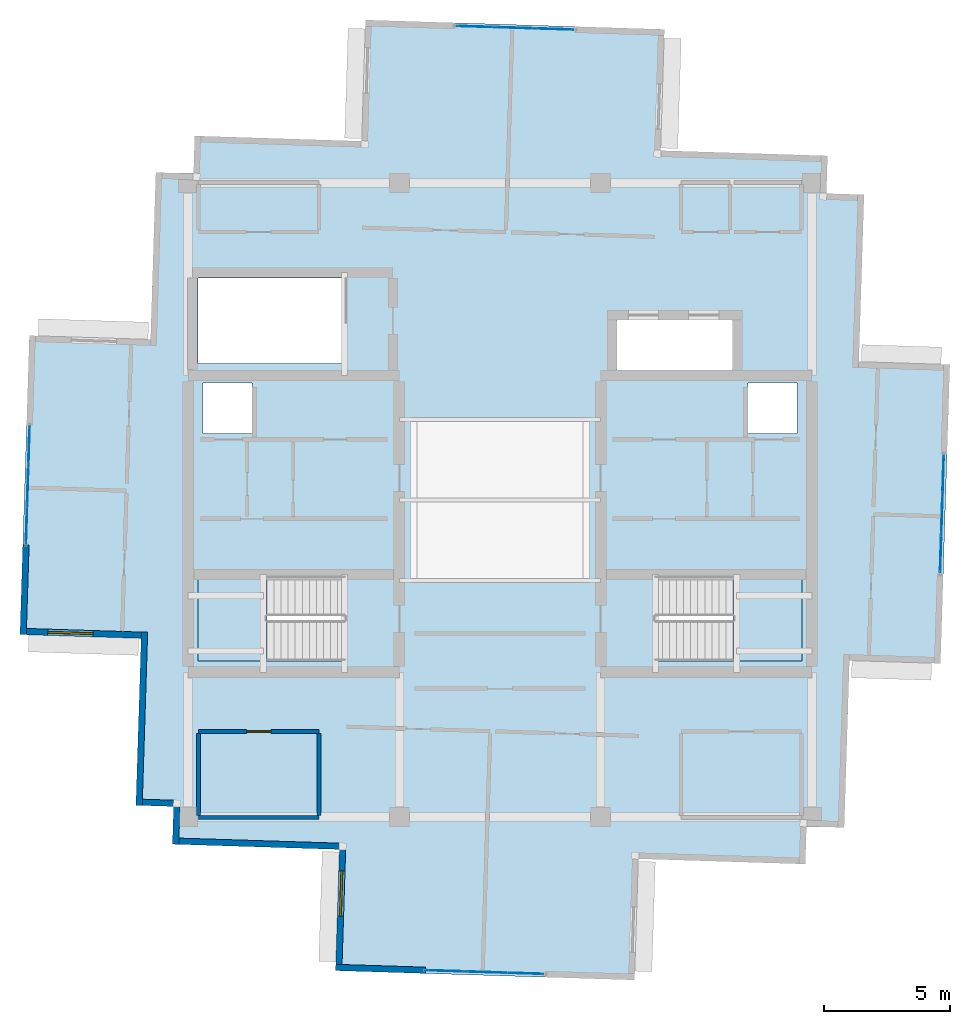
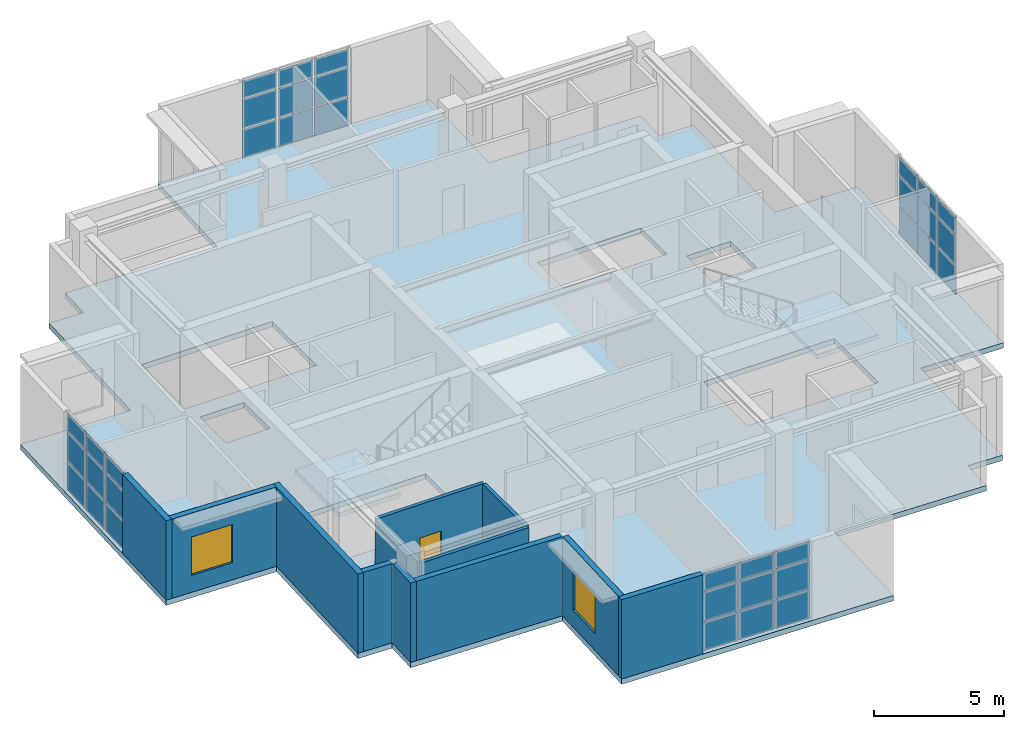
# One storey, part 9 of 14: 36 plates, 12 walls, 3 slabs, 2 windows, 1 door, 3 openings, 6 elements without a shape of their own.
"""IFC4 building model written with IfcOpenShell, lengths in metres."""

from ifc_helpers import new_model, si_unit, direction, frame, frame_2d, origin, origin_2d, place, context, subcontext, project, spatial, polyline, rectangle, outline, extrude, material, layer, layer_set, type_object, element, fill, aggregate, save


model = new_model("IFC4")

# Units and contexts
model_context = context("Model", 3, precision=1e-05, world=origin(), true_north=direction((0.0, 1.0)))
body_context = subcontext(model_context, "Body", "Model", "MODEL_VIEW")
ifc_project = project(units=[si_unit("LENGTHUNIT", "METRE"), si_unit("AREAUNIT", "SQUARE_METRE"), si_unit("VOLUMEUNIT", "CUBIC_METRE"), si_unit("PLANEANGLEUNIT", "RADIAN"), si_unit("MASSUNIT", "GRAM", prefix="KILO")], contexts=[model_context])

# Site, building, storey
site_placement = place(None, origin())
site = spatial("IfcSite", under=ifc_project, at=site_placement, CompositionType="ELEMENT")
building_placement = place(site_placement, origin())
building = spatial("IfcBuilding", under=site, at=building_placement, Name="Qingluan Cross Belvedere", CompositionType="ELEMENT")
storey_placement = place(building_placement, frame((0.0, 0.0, 317.39990234375)))
storey = spatial("IfcBuildingStorey", under=building, at=storey_placement, Name="L78", CompositionType="ELEMENT", Elevation=317.39990234375)

# Curtain wall, plates
ifc_material_1 = material(Name="Thermally broken aluminium and Low-E glass", Category="aluminium")
ifc_layer_1 = layer(ifc_material_1, 0.219970703125, Name="ObservationCW_BelvedereDeck")
ifc_layer_set_1 = layer_set([ifc_layer_1], Name="Thermally broken aluminium and Low-E glass")
curtain_wall_type = type_object("IfcCurtainWallType", Name="ObservationCW_BelvedereDeck", PredefinedType="USERDEFINED", material=ifc_layer_set_1)
curtain_wall_1_placement = place(storey_placement, origin())
curtain_wall_1 = element("IfcCurtainWall", 1, at=curtain_wall_1_placement, inside=storey, type_object=curtain_wall_type, Name="ObservationCW_BelvedereDeck run env:cw:L78:E", ObjectType="OBSERVATION GLAZING WALL", PredefinedType="USERDEFINED")
ifc_material_2 = material(Name="Triple-silver Low-E insulated glass", Category="glass")
ifc_layer_2 = layer(ifc_material_2, 0.035888671875, Name="CWVisionPanel_36")
ifc_layer_set_2 = layer_set([ifc_layer_2], Name="Triple-silver Low-E insulated glass")
plate_type = type_object("IfcPlateType", Name="CWVisionPanel_36", PredefinedType="CURTAIN_PANEL", material=ifc_layer_set_2)
plate_1_placement = place(storey_placement, frame((17.52197265625, -2.121826171875, 0.06005859375), z_axis=(0.0, 0.0, 1.0), x_axis=(0.031413301117, 0.999506480476, 0.0)))
plate_1 = element("IfcPlate", 2, at=plate_1_placement, type_object=plate_type, Name="CW-C3 panel 1.1", PredefinedType="CURTAIN_PANEL", context=body_context, shape_type="SweptSolid", body=[
    extrude(rectangle(XDim=1.495361328125, YDim=0.028076171875, at=origin_2d()), origin(), (0.0, 0.0, 1.0), 1.326904296875),
])
plate_2_placement = place(storey_placement, frame((17.52197265625, -2.121826171875, 1.447021484375), z_axis=(0.0, 0.0, 1.0), x_axis=(0.031413301117, 0.999506480476, 0.0)))
plate_2 = element("IfcPlate", 3, at=plate_2_placement, type_object=plate_type, Name="CW-C3 panel 1.2", PredefinedType="CURTAIN_PANEL", context=body_context, shape_type="SweptSolid", body=[
    extrude(rectangle(XDim=1.495361328125, YDim=0.028076171875, at=origin_2d()), origin(), (0.0, 0.0, 1.0), 1.35791015625),
])
plate_3_placement = place(storey_placement, frame((17.52197265625, -2.121826171875, 2.865234375), z_axis=(0.0, 0.0, 1.0), x_axis=(0.031413301117, 0.999506480476, 0.0)))
plate_3 = element("IfcPlate", 4, at=plate_3_placement, type_object=plate_type, Name="CW-C3 panel 1.3", PredefinedType="CURTAIN_PANEL", context=body_context, shape_type="SweptSolid", body=[
    extrude(rectangle(XDim=1.495361328125, YDim=0.028076171875, at=origin_2d()), origin(), (0.0, 0.0, 1.0), 0.804931640625),
])
plate_4_placement = place(storey_placement, frame((17.5712890625, -0.55224609375, 0.06005859375), z_axis=(0.0, 0.0, 1.0), x_axis=(0.031413301117, 0.999506480476, 0.0)))
plate_4 = element("IfcPlate", 5, at=plate_4_placement, type_object=plate_type, Name="CW-C3 panel 2.1", PredefinedType="CURTAIN_PANEL", context=body_context, shape_type="SweptSolid", body=[
    extrude(rectangle(XDim=1.525390625, YDim=0.028076171875, at=origin_2d()), origin(), (0.0, 0.0, 1.0), 1.326904296875),
])
plate_5_placement = place(storey_placement, frame((17.5712890625, -0.55224609375, 1.447021484375), z_axis=(0.0, 0.0, 1.0), x_axis=(0.031413301117, 0.999506480476, 0.0)))
plate_5 = element("IfcPlate", 6, at=plate_5_placement, type_object=plate_type, Name="CW-C3 panel 2.2", PredefinedType="CURTAIN_PANEL", context=body_context, shape_type="SweptSolid", body=[
    extrude(rectangle(XDim=1.525390625, YDim=0.028076171875, at=origin_2d()), origin(), (0.0, 0.0, 1.0), 1.35791015625),
])
plate_6_placement = place(storey_placement, frame((17.5712890625, -0.55224609375, 2.865234375), z_axis=(0.0, 0.0, 1.0), x_axis=(0.031413301117, 0.999506480476, 0.0)))
plate_6 = element("IfcPlate", 7, at=plate_6_placement, type_object=plate_type, Name="CW-C3 panel 2.3", PredefinedType="CURTAIN_PANEL", context=body_context, shape_type="SweptSolid", body=[
    extrude(rectangle(XDim=1.525390625, YDim=0.028076171875, at=origin_2d()), origin(), (0.0, 0.0, 1.0), 0.804931640625),
])
plate_7_placement = place(storey_placement, frame((17.62060546875, 1.017333984375, 0.06005859375), z_axis=(0.0, 0.0, 1.0), x_axis=(0.031413301117, 0.999506480476, 0.0)))
plate_7 = element("IfcPlate", 8, at=plate_7_placement, type_object=plate_type, Name="CW-C3 panel 3.1", PredefinedType="CURTAIN_PANEL", context=body_context, shape_type="SweptSolid", body=[
    extrude(rectangle(XDim=1.495361328125, YDim=0.028076171875, at=origin_2d()), origin(), (0.0, 0.0, 1.0), 1.326904296875),
])
plate_8_placement = place(storey_placement, frame((17.62060546875, 1.017333984375, 1.447021484375), z_axis=(0.0, 0.0, 1.0), x_axis=(0.031413301117, 0.999506480476, 0.0)))
plate_8 = element("IfcPlate", 9, at=plate_8_placement, type_object=plate_type, Name="CW-C3 panel 3.2", PredefinedType="CURTAIN_PANEL", context=body_context, shape_type="SweptSolid", body=[
    extrude(rectangle(XDim=1.495361328125, YDim=0.028076171875, at=origin_2d()), origin(), (0.0, 0.0, 1.0), 1.35791015625),
])
plate_9_placement = place(storey_placement, frame((17.62060546875, 1.017333984375, 2.865234375), z_axis=(0.0, 0.0, 1.0), x_axis=(0.031413301117, 0.999506480476, 0.0)))
plate_9 = element("IfcPlate", 10, at=plate_9_placement, type_object=plate_type, Name="CW-C3 panel 3.3", PredefinedType="CURTAIN_PANEL", context=body_context, shape_type="SweptSolid", body=[
    extrude(rectangle(XDim=1.495361328125, YDim=0.028076171875, at=origin_2d()), origin(), (0.0, 0.0, 1.0), 0.804931640625),
])
aggregate(curtain_wall_1, [plate_1, plate_2, plate_3, plate_4, plate_5, plate_6, plate_7, plate_8, plate_9])

curtain_wall_2_placement = place(storey_placement, origin())
curtain_wall_2 = element("IfcCurtainWall", 11, at=curtain_wall_2_placement, inside=storey, type_object=curtain_wall_type, Name="ObservationCW_BelvedereDeck run env:cw:L78:N", ObjectType="OBSERVATION GLAZING WALL", PredefinedType="USERDEFINED")
plate_10_placement = place(storey_placement, frame((2.159423828125, 18.721435546875, 0.06005859375), z_axis=(0.0, 0.0, 1.0), x_axis=(-0.999506480476, 0.031413301117, 0.0)))
plate_10 = element("IfcPlate", 12, at=plate_10_placement, type_object=plate_type, Name="CW-C3 panel 1.1", PredefinedType="CURTAIN_PANEL", context=body_context, shape_type="SweptSolid", body=[
    extrude(rectangle(XDim=1.495361328125, YDim=0.028076171875, at=origin_2d()), origin(), (0.0, 0.0, 1.0), 1.326904296875),
])
plate_11_placement = place(storey_placement, frame((2.159423828125, 18.721435546875, 1.447021484375), z_axis=(0.0, 0.0, 1.0), x_axis=(-0.999506480476, 0.031413301117, 0.0)))
plate_11 = element("IfcPlate", 13, at=plate_11_placement, type_object=plate_type, Name="CW-C3 panel 1.2", PredefinedType="CURTAIN_PANEL", context=body_context, shape_type="SweptSolid", body=[
    extrude(rectangle(XDim=1.495361328125, YDim=0.028076171875, at=origin_2d()), origin(), (0.0, 0.0, 1.0), 1.35791015625),
])
plate_12_placement = place(storey_placement, frame((2.159423828125, 18.721435546875, 2.865234375), z_axis=(0.0, 0.0, 1.0), x_axis=(-0.999506480476, 0.031413301117, 0.0)))
plate_12 = element("IfcPlate", 14, at=plate_12_placement, type_object=plate_type, Name="CW-C3 panel 1.3", PredefinedType="CURTAIN_PANEL", context=body_context, shape_type="SweptSolid", body=[
    extrude(rectangle(XDim=1.495361328125, YDim=0.028076171875, at=origin_2d()), origin(), (0.0, 0.0, 1.0), 0.804931640625),
])
plate_13_placement = place(storey_placement, frame((0.58984375, 18.770751953125, 0.06005859375), z_axis=(0.0, 0.0, 1.0), x_axis=(-0.999506480476, 0.031413301117, 0.0)))
plate_13 = element("IfcPlate", 15, at=plate_13_placement, type_object=plate_type, Name="CW-C3 panel 2.1", PredefinedType="CURTAIN_PANEL", context=body_context, shape_type="SweptSolid", body=[
    extrude(rectangle(XDim=1.525390625, YDim=0.028076171875, at=origin_2d()), origin(), (0.0, 0.0, 1.0), 1.326904296875),
])
plate_14_placement = place(storey_placement, frame((0.58984375, 18.770751953125, 1.447021484375), z_axis=(0.0, 0.0, 1.0), x_axis=(-0.999506480476, 0.031413301117, 0.0)))
plate_14 = element("IfcPlate", 16, at=plate_14_placement, type_object=plate_type, Name="CW-C3 panel 2.2", PredefinedType="CURTAIN_PANEL", context=body_context, shape_type="SweptSolid", body=[
    extrude(rectangle(XDim=1.525390625, YDim=0.028076171875, at=origin_2d()), origin(), (0.0, 0.0, 1.0), 1.35791015625),
])
plate_15_placement = place(storey_placement, frame((0.58984375, 18.770751953125, 2.865234375), z_axis=(0.0, 0.0, 1.0), x_axis=(-0.999506480476, 0.031413301117, 0.0)))
plate_15 = element("IfcPlate", 17, at=plate_15_placement, type_object=plate_type, Name="CW-C3 panel 2.3", PredefinedType="CURTAIN_PANEL", context=body_context, shape_type="SweptSolid", body=[
    extrude(rectangle(XDim=1.525390625, YDim=0.028076171875, at=origin_2d()), origin(), (0.0, 0.0, 1.0), 0.804931640625),
])
plate_16_placement = place(storey_placement, frame((-0.979736328125, 18.820068359375, 0.06005859375), z_axis=(0.0, 0.0, 1.0), x_axis=(-0.999506480476, 0.031413301117, 0.0)))
plate_16 = element("IfcPlate", 18, at=plate_16_placement, type_object=plate_type, Name="CW-C3 panel 3.1", PredefinedType="CURTAIN_PANEL", context=body_context, shape_type="SweptSolid", body=[
    extrude(rectangle(XDim=1.495361328125, YDim=0.028076171875, at=origin_2d()), origin(), (0.0, 0.0, 1.0), 1.326904296875),
])
plate_17_placement = place(storey_placement, frame((-0.979736328125, 18.820068359375, 1.447021484375), z_axis=(0.0, 0.0, 1.0), x_axis=(-0.999506480476, 0.031413301117, 0.0)))
plate_17 = element("IfcPlate", 19, at=plate_17_placement, type_object=plate_type, Name="CW-C3 panel 3.2", PredefinedType="CURTAIN_PANEL", context=body_context, shape_type="SweptSolid", body=[
    extrude(rectangle(XDim=1.495361328125, YDim=0.028076171875, at=origin_2d()), origin(), (0.0, 0.0, 1.0), 1.35791015625),
])
plate_18_placement = place(storey_placement, frame((-0.979736328125, 18.820068359375, 2.865234375), z_axis=(0.0, 0.0, 1.0), x_axis=(-0.999506480476, 0.031413301117, 0.0)))
plate_18 = element("IfcPlate", 20, at=plate_18_placement, type_object=plate_type, Name="CW-C3 panel 3.3", PredefinedType="CURTAIN_PANEL", context=body_context, shape_type="SweptSolid", body=[
    extrude(rectangle(XDim=1.495361328125, YDim=0.028076171875, at=origin_2d()), origin(), (0.0, 0.0, 1.0), 0.804931640625),
])
aggregate(curtain_wall_2, [plate_10, plate_11, plate_12, plate_13, plate_14, plate_15, plate_16, plate_17, plate_18])

curtain_wall_3_placement = place(storey_placement, origin())
curtain_wall_3 = element("IfcCurtainWall", 21, at=curtain_wall_3_placement, inside=storey, type_object=curtain_wall_type, Name="ObservationCW_BelvedereDeck run env:cw:L78:W", ObjectType="OBSERVATION GLAZING WALL", PredefinedType="USERDEFINED")
plate_19_placement = place(storey_placement, frame((-18.721435546875, 2.159423828125, 0.06005859375), z_axis=(0.0, 0.0, 1.0), x_axis=(-0.031413301117, -0.999506480476, 0.0)))
plate_19 = element("IfcPlate", 22, at=plate_19_placement, type_object=plate_type, Name="CW-C3 panel 1.1", PredefinedType="CURTAIN_PANEL", context=body_context, shape_type="SweptSolid", body=[
    extrude(rectangle(XDim=1.495361328125, YDim=0.028076171875, at=origin_2d()), origin(), (0.0, 0.0, 1.0), 1.326904296875),
])
plate_20_placement = place(storey_placement, frame((-18.721435546875, 2.159423828125, 1.447021484375), z_axis=(0.0, 0.0, 1.0), x_axis=(-0.031413301117, -0.999506480476, 0.0)))
plate_20 = element("IfcPlate", 23, at=plate_20_placement, type_object=plate_type, Name="CW-C3 panel 1.2", PredefinedType="CURTAIN_PANEL", context=body_context, shape_type="SweptSolid", body=[
    extrude(rectangle(XDim=1.495361328125, YDim=0.028076171875, at=origin_2d()), origin(), (0.0, 0.0, 1.0), 1.35791015625),
])
plate_21_placement = place(storey_placement, frame((-18.721435546875, 2.159423828125, 2.865234375), z_axis=(0.0, 0.0, 1.0), x_axis=(-0.031413301117, -0.999506480476, 0.0)))
plate_21 = element("IfcPlate", 24, at=plate_21_placement, type_object=plate_type, Name="CW-C3 panel 1.3", PredefinedType="CURTAIN_PANEL", context=body_context, shape_type="SweptSolid", body=[
    extrude(rectangle(XDim=1.495361328125, YDim=0.028076171875, at=origin_2d()), origin(), (0.0, 0.0, 1.0), 0.804931640625),
])
plate_22_placement = place(storey_placement, frame((-18.770751953125, 0.58984375, 0.06005859375), z_axis=(0.0, 0.0, 1.0), x_axis=(-0.031413301117, -0.999506480476, 0.0)))
plate_22 = element("IfcPlate", 25, at=plate_22_placement, type_object=plate_type, Name="CW-C3 panel 2.1", PredefinedType="CURTAIN_PANEL", context=body_context, shape_type="SweptSolid", body=[
    extrude(rectangle(XDim=1.525390625, YDim=0.028076171875, at=origin_2d()), origin(), (0.0, 0.0, 1.0), 1.326904296875),
])
plate_23_placement = place(storey_placement, frame((-18.770751953125, 0.58984375, 1.447021484375), z_axis=(0.0, 0.0, 1.0), x_axis=(-0.031413301117, -0.999506480476, 0.0)))
plate_23 = element("IfcPlate", 26, at=plate_23_placement, type_object=plate_type, Name="CW-C3 panel 2.2", PredefinedType="CURTAIN_PANEL", context=body_context, shape_type="SweptSolid", body=[
    extrude(rectangle(XDim=1.525390625, YDim=0.028076171875, at=origin_2d()), origin(), (0.0, 0.0, 1.0), 1.35791015625),
])
plate_24_placement = place(storey_placement, frame((-18.770751953125, 0.58984375, 2.865234375), z_axis=(0.0, 0.0, 1.0), x_axis=(-0.031413301117, -0.999506480476, 0.0)))
plate_24 = element("IfcPlate", 27, at=plate_24_placement, type_object=plate_type, Name="CW-C3 panel 2.3", PredefinedType="CURTAIN_PANEL", context=body_context, shape_type="SweptSolid", body=[
    extrude(rectangle(XDim=1.525390625, YDim=0.028076171875, at=origin_2d()), origin(), (0.0, 0.0, 1.0), 0.804931640625),
])
plate_25_placement = place(storey_placement, frame((-18.820068359375, -0.979736328125, 0.06005859375), z_axis=(0.0, 0.0, 1.0), x_axis=(-0.031413301117, -0.999506480476, 0.0)))
plate_25 = element("IfcPlate", 28, at=plate_25_placement, type_object=plate_type, Name="CW-C3 panel 3.1", PredefinedType="CURTAIN_PANEL", context=body_context, shape_type="SweptSolid", body=[
    extrude(rectangle(XDim=1.495361328125, YDim=0.028076171875, at=origin_2d()), origin(), (0.0, 0.0, 1.0), 1.326904296875),
])
plate_26_placement = place(storey_placement, frame((-18.820068359375, -0.979736328125, 1.447021484375), z_axis=(0.0, 0.0, 1.0), x_axis=(-0.031413301117, -0.999506480476, 0.0)))
plate_26 = element("IfcPlate", 29, at=plate_26_placement, type_object=plate_type, Name="CW-C3 panel 3.2", PredefinedType="CURTAIN_PANEL", context=body_context, shape_type="SweptSolid", body=[
    extrude(rectangle(XDim=1.495361328125, YDim=0.028076171875, at=origin_2d()), origin(), (0.0, 0.0, 1.0), 1.35791015625),
])
plate_27_placement = place(storey_placement, frame((-18.820068359375, -0.979736328125, 2.865234375), z_axis=(0.0, 0.0, 1.0), x_axis=(-0.031413301117, -0.999506480476, 0.0)))
plate_27 = element("IfcPlate", 30, at=plate_27_placement, type_object=plate_type, Name="CW-C3 panel 3.3", PredefinedType="CURTAIN_PANEL", context=body_context, shape_type="SweptSolid", body=[
    extrude(rectangle(XDim=1.495361328125, YDim=0.028076171875, at=origin_2d()), origin(), (0.0, 0.0, 1.0), 0.804931640625),
])
aggregate(curtain_wall_3, [plate_19, plate_20, plate_21, plate_22, plate_23, plate_24, plate_25, plate_26, plate_27])

curtain_wall_4_placement = place(storey_placement, origin())
curtain_wall_4 = element("IfcCurtainWall", 31, at=curtain_wall_4_placement, inside=storey, type_object=curtain_wall_type, Name="ObservationCW_BelvedereDeck run env:cw:L78:S", ObjectType="OBSERVATION GLAZING WALL", PredefinedType="USERDEFINED")
plate_28_placement = place(storey_placement, frame((-2.159423828125, -18.721435546875, 0.06005859375), z_axis=(0.0, 0.0, 1.0), x_axis=(0.999506480476, -0.031413301117, 0.0)))
plate_28 = element("IfcPlate", 32, at=plate_28_placement, type_object=plate_type, Name="CW-C3 panel 1.1", PredefinedType="CURTAIN_PANEL", context=body_context, shape_type="SweptSolid", body=[
    extrude(rectangle(XDim=1.495361328125, YDim=0.028076171875, at=origin_2d()), origin(), (0.0, 0.0, 1.0), 1.326904296875),
])
plate_29_placement = place(storey_placement, frame((-2.159423828125, -18.721435546875, 1.447021484375), z_axis=(0.0, 0.0, 1.0), x_axis=(0.999506480476, -0.031413301117, 0.0)))
plate_29 = element("IfcPlate", 33, at=plate_29_placement, type_object=plate_type, Name="CW-C3 panel 1.2", PredefinedType="CURTAIN_PANEL", context=body_context, shape_type="SweptSolid", body=[
    extrude(rectangle(XDim=1.495361328125, YDim=0.028076171875, at=origin_2d()), origin(), (0.0, 0.0, 1.0), 1.35791015625),
])
plate_30_placement = place(storey_placement, frame((-2.159423828125, -18.721435546875, 2.865234375), z_axis=(0.0, 0.0, 1.0), x_axis=(0.999506480476, -0.031413301117, 0.0)))
plate_30 = element("IfcPlate", 34, at=plate_30_placement, type_object=plate_type, Name="CW-C3 panel 1.3", PredefinedType="CURTAIN_PANEL", context=body_context, shape_type="SweptSolid", body=[
    extrude(rectangle(XDim=1.495361328125, YDim=0.028076171875, at=origin_2d()), origin(), (0.0, 0.0, 1.0), 0.804931640625),
])
plate_31_placement = place(storey_placement, frame((-0.58984375, -18.770751953125, 0.06005859375), z_axis=(0.0, 0.0, 1.0), x_axis=(0.999506480476, -0.031413301117, 0.0)))
plate_31 = element("IfcPlate", 35, at=plate_31_placement, type_object=plate_type, Name="CW-C3 panel 2.1", PredefinedType="CURTAIN_PANEL", context=body_context, shape_type="SweptSolid", body=[
    extrude(rectangle(XDim=1.525390625, YDim=0.028076171875, at=origin_2d()), origin(), (0.0, 0.0, 1.0), 1.326904296875),
])
plate_32_placement = place(storey_placement, frame((-0.58984375, -18.770751953125, 1.447021484375), z_axis=(0.0, 0.0, 1.0), x_axis=(0.999506480476, -0.031413301117, 0.0)))
plate_32 = element("IfcPlate", 36, at=plate_32_placement, type_object=plate_type, Name="CW-C3 panel 2.2", PredefinedType="CURTAIN_PANEL", context=body_context, shape_type="SweptSolid", body=[
    extrude(rectangle(XDim=1.525390625, YDim=0.028076171875, at=origin_2d()), origin(), (0.0, 0.0, 1.0), 1.35791015625),
])
plate_33_placement = place(storey_placement, frame((-0.58984375, -18.770751953125, 2.865234375), z_axis=(0.0, 0.0, 1.0), x_axis=(0.999506480476, -0.031413301117, 0.0)))
plate_33 = element("IfcPlate", 37, at=plate_33_placement, type_object=plate_type, Name="CW-C3 panel 2.3", PredefinedType="CURTAIN_PANEL", context=body_context, shape_type="SweptSolid", body=[
    extrude(rectangle(XDim=1.525390625, YDim=0.028076171875, at=origin_2d()), origin(), (0.0, 0.0, 1.0), 0.804931640625),
])
plate_34_placement = place(storey_placement, frame((0.979736328125, -18.820068359375, 0.06005859375), z_axis=(0.0, 0.0, 1.0), x_axis=(0.999506480476, -0.031413301117, 0.0)))
plate_34 = element("IfcPlate", 38, at=plate_34_placement, type_object=plate_type, Name="CW-C3 panel 3.1", PredefinedType="CURTAIN_PANEL", context=body_context, shape_type="SweptSolid", body=[
    extrude(rectangle(XDim=1.495361328125, YDim=0.028076171875, at=origin_2d()), origin(), (0.0, 0.0, 1.0), 1.326904296875),
])
plate_35_placement = place(storey_placement, frame((0.979736328125, -18.820068359375, 1.447021484375), z_axis=(0.0, 0.0, 1.0), x_axis=(0.999506480476, -0.031413301117, 0.0)))
plate_35 = element("IfcPlate", 39, at=plate_35_placement, type_object=plate_type, Name="CW-C3 panel 3.2", PredefinedType="CURTAIN_PANEL", context=body_context, shape_type="SweptSolid", body=[
    extrude(rectangle(XDim=1.495361328125, YDim=0.028076171875, at=origin_2d()), origin(), (0.0, 0.0, 1.0), 1.35791015625),
])
plate_36_placement = place(storey_placement, frame((0.979736328125, -18.820068359375, 2.865234375), z_axis=(0.0, 0.0, 1.0), x_axis=(0.999506480476, -0.031413301117, 0.0)))
plate_36 = element("IfcPlate", 40, at=plate_36_placement, type_object=plate_type, Name="CW-C3 panel 3.3", PredefinedType="CURTAIN_PANEL", context=body_context, shape_type="SweptSolid", body=[
    extrude(rectangle(XDim=1.495361328125, YDim=0.028076171875, at=origin_2d()), origin(), (0.0, 0.0, 1.0), 0.804931640625),
])
aggregate(curtain_wall_4, [plate_28, plate_29, plate_30, plate_31, plate_32, plate_33, plate_34, plate_35, plate_36])

# Slab
ifc_material_3 = material(Name="Concrete C40", Category="concrete")
ifc_layer_3 = layer(ifc_material_3, 0.25, Name="FloorSlab_250")
ifc_layer_set_3 = layer_set([ifc_layer_3], Name="Concrete C40")
slab_type_1 = type_object("IfcSlabType", Name="FloorSlab_250", PredefinedType="FLOOR", material=ifc_layer_set_3)
slab_1_placement = place(storey_placement, frame((0.0, 0.0, -0.25)))
element("IfcSlab", 41, at=slab_1_placement, inside=storey, type_object=slab_type_1, Name="Structural floor slab L78", PredefinedType="FLOOR", context=body_context, shape_type="SweptSolid", body=[
    extrude(outline(polyline([(5.34814453125, -19.08251953125), (5.49951171875, -14.264892578125), (12.136474609375, -14.473388671875), (12.18359375, -12.97412109375), (13.6826171875, -13.021240234375), (13.891357421875, -6.384521484375), (17.509521484375, -6.498291015625), (17.883056640625, 5.385986328125), (14.264892578125, 5.49951171875), (14.473388671875, 12.136474609375), (12.97412109375, 12.18359375), (13.021240234375, 13.6826171875), (6.384521484375, 13.891357421875), (6.535888671875, 18.708984375), (-5.34814453125, 19.08251953125), (-5.49951171875, 14.264892578125), (-12.136474609375, 14.473388671875), (-12.18359375, 12.97412109375), (-13.6826171875, 13.021240234375), (-13.891357421875, 6.384521484375), (-18.708984375, 6.535888671875), (-19.08251953125, -5.34814453125), (-14.264892578125, -5.49951171875), (-14.473388671875, -12.136474609375), (-12.97412109375, -12.18359375), (-13.021240234375, -13.6826171875), (-6.384521484375, -13.891357421875), (-6.535888671875, -18.708984375), (5.34814453125, -19.08251953125)]), holes=[polyline([(-12.0, -3.0), (-6.179931640625, -3.0), (-6.179931640625, -6.39990234375), (-12.0, -6.39990234375), (-12.0, -3.0)]), polyline([(6.179931640625, -3.0), (12.0, -3.0), (12.0, -6.39990234375), (6.179931640625, -6.39990234375), (6.179931640625, -3.0)]), polyline([(-12.0, 8.820068359375), (-6.179931640625, 8.820068359375), (-6.179931640625, 5.419921875), (-12.0, 5.419921875), (-12.0, 8.820068359375)]), polyline([(-11.800048828125, 4.64990234375), (-9.85009765625, 4.64990234375), (-9.85009765625, 2.64990234375), (-11.800048828125, 2.64990234375), (-11.800048828125, 4.64990234375)]), polyline([(9.85009765625, 4.64990234375), (11.800048828125, 4.64990234375), (11.800048828125, 2.64990234375), (9.85009765625, 2.64990234375), (9.85009765625, 4.64990234375)]), polyline([(4.64990234375, 7.14990234375), (9.25, 7.14990234375), (9.25, 5.14990234375), (4.64990234375, 5.14990234375), (4.64990234375, 7.14990234375)])]), origin(), (0.0, 0.0, 1.0), 0.25),
])

# Stair, slab
ifc_material_4 = material(Name="Concrete C40", Category="concrete")
stair_type = type_object("IfcStairType", Name="CoreDoglegStair_1620", PredefinedType="HALF_TURN_STAIR", material=ifc_material_4)
stair_1_placement = place(storey_placement, origin())
stair_1 = element("IfcStair", 42, at=stair_1_placement, inside=storey, type_object=stair_type, Name="L78 ST1", PredefinedType="HALF_TURN_STAIR")
ifc_material_5 = material(Name="Concrete C40", Category="concrete")
ifc_layer_4 = layer(ifc_material_5, 0.179931640625, Name="StairLandingSlab_180")
ifc_layer_set_4 = layer_set([ifc_layer_4], Name="Concrete C40")
slab_type_2 = type_object("IfcSlabType", Name="StairLandingSlab_180", PredefinedType="LANDING", material=ifc_layer_set_4)
slab_2_placement = place(storey_placement, frame((0.0, 0.0, 2.050048828125)))
slab_2 = element("IfcSlab", 43, at=slab_2_placement, type_object=slab_type_2, Name="ST1 landing 1", PredefinedType="LANDING", context=body_context, shape_type="SweptSolid", body=[
    extrude(outline(polyline([(-9.260009765625, -3.0), (-12.0, -3.0), (-12.0, -6.39990234375), (-9.260009765625, -6.39990234375), (-9.260009765625, -3.0)])), origin(), (0.0, 0.0, 1.0), 0.199951171875),
])
aggregate(stair_1, [slab_2])

stair_2_placement = place(storey_placement, origin())
stair_2 = element("IfcStair", 44, at=stair_2_placement, inside=storey, type_object=stair_type, Name="L78 ST2", PredefinedType="HALF_TURN_STAIR")
slab_3_placement = place(storey_placement, frame((0.0, 0.0, 2.050048828125)))
slab_3 = element("IfcSlab", 45, at=slab_3_placement, type_object=slab_type_2, Name="ST2 landing 1", PredefinedType="LANDING", context=body_context, shape_type="SweptSolid", body=[
    extrude(outline(polyline([(9.260009765625, -6.39990234375), (12.0, -6.39990234375), (12.0, -3.0), (9.260009765625, -3.0), (9.260009765625, -6.39990234375)])), origin(), (0.0, 0.0, 1.0), 0.199951171875),
])
aggregate(stair_2, [slab_3])

# Wall
ifc_material_6 = material(Name="Gypsum plasterboard on steel stud acoustic partition", Category="steel")
ifc_layer_5 = layer(ifc_material_6, 0.159912109375, Name="CorridorPartition_160")
ifc_layer_set_5 = layer_set([ifc_layer_5], Name="Gypsum plasterboard on steel stud acoustic partition")
wall_type_1 = type_object("IfcWallType", Name="CorridorPartition_160", PredefinedType="PARTITIONING", material=ifc_layer_set_5)
wall_1_placement = place(storey_placement, frame((-11.97998046875, -12.6298828125, 0.0), z_axis=(0.0, 0.0, 1.0), x_axis=(1.0, 0.0, 0.0)))
element("IfcWall", 46, at=wall_1_placement, inside=storey, type_object=wall_type_1, Name="Partition L78:crown_sw:S", PredefinedType="PARTITIONING", context=body_context, shape_type="SweptSolid", body=[
    extrude(rectangle(XDim=4.780029296875, YDim=0.159912109375, at=frame_2d((2.39013671875, 0.0))), origin(), (0.0, 0.0, 1.0), 3.72021484375),
])

# Wall, opening, door
wall_2_placement = place(storey_placement, frame((-11.97998046875, -9.199951171875, 0.0), z_axis=(0.0, 0.0, 1.0), x_axis=(1.0, 0.0, 0.0)))
wall_2 = element("IfcWall", 47, at=wall_2_placement, inside=storey, type_object=wall_type_1, Name="Partition L78:crown_sw:N", PredefinedType="PARTITIONING", context=body_context, shape_type="SweptSolid", body=[
    extrude(rectangle(XDim=4.780029296875, YDim=0.159912109375, at=frame_2d((2.39013671875, 0.0))), origin(), (0.0, 0.0, 1.0), 3.72021484375),
])
opening_1_placement = place(wall_2_placement, frame((1.909912109375, 0.0, 0.0)))
opening_1 = element("IfcOpeningElement", 48, at=opening_1_placement, cuts=wall_2, Name="Opening GD-10", PredefinedType="OPENING", context=body_context, shape_type="SweptSolid", body=[
    extrude(rectangle(XDim=0.9599609375, YDim=2.14990234375, at=frame_2d((0.47998046875, 1.074951171875))), frame((0.0, 0.08984375, 0.0), z_axis=(0.0, -1.0, 0.0), x_axis=(1.0, 0.0, 0.0)), (0.0, 0.0, 1.0), 0.179931640625),
])
ifc_material_7 = material(Name="Timber oak fire-rated acoustic guestroom door", Category="wood")
door_type = type_object("IfcDoorType", Name="GuestEntryDoor_FD60", OperationType="NOTDEFINED", PredefinedType="DOOR", material=ifc_material_7)
door_placement = place(opening_1_placement, origin())
door = element("IfcDoor", 49, at=door_placement, inside=storey, type_object=door_type, Name="Southwest sunset lounge L78 door", OperationType="SINGLE_SWING_LEFT", OverallHeight=2.14990234375, OverallWidth=0.9599609375, PredefinedType="DOOR", context=body_context, shape_type="SweptSolid", body=[
    extrude(rectangle(XDim=0.9599609375, YDim=2.14990234375, at=frame_2d((0.47998046875, 1.074951171875))), frame((0.0, 0.02490234375, 0.0), z_axis=(0.0, -1.0, 0.0), x_axis=(1.0, 0.0, 0.0)), (0.0, 0.0, 1.0), 0.050048828125),
])
fill(opening_1, door)

# Walls
for number, where, z_axis, x_axis, name in (
    (50, (-11.97998046875, -12.544921875, 0.0), (0.0, 0.0, 1.0), (0.0, 1.0, 0.0), "Partition L78:crown_sw:W"),
    (51, (-7.199951171875, -12.544921875, 0.0), (0.0, 0.0, 1.0), (0.0, 1.0, 0.0), "Partition L78:crown_sw:E"),
):
    element("IfcWall", number, at=place(storey_placement, frame(where, z_axis=z_axis, x_axis=x_axis)), inside=storey, type_object=wall_type_1, Name=name, PredefinedType="PARTITIONING", context=body_context, shape_type="SweptSolid", body=[
        extrude(rectangle(XDim=3.260009765625, YDim=0.159912109375, at=frame_2d((1.6298828125, 0.0))), origin(), (0.0, 0.0, 1.0), 3.72021484375),
    ])

# Wall, opening, window
ifc_material_8 = material(Name="Precast concrete C45", Category="concrete")
ifc_layer_6 = layer(ifc_material_8, 0.25, Name="PrecastCrownWall_250")
ifc_layer_set_6 = layer_set([ifc_layer_6], Name="Precast concrete C45")
wall_type_2 = type_object("IfcWallType", Name="PrecastCrownWall_250", PredefinedType="STANDARD", material=ifc_layer_set_6)
wall_3_placement = place(storey_placement, frame((-18.82861328125, -5.231201171875, 0.0), z_axis=(0.0, 0.0, 1.0), x_axis=(0.999506483228, -0.031413213541, 0.0)))
wall_3 = element("IfcWall", 52, at=wall_3_placement, inside=storey, type_object=wall_type_2, Name="Facade wall L78-WB", PredefinedType="STANDARD", context=body_context, shape_type="SweptSolid", body=[
    extrude(rectangle(XDim=4.56982421875, YDim=0.25, at=frame_2d((2.284912109375, 0.0))), origin(), (0.0, 0.0, 1.0), 3.72998046875),
])
opening_2_placement = place(wall_3_placement, frame((0.85009765625, 0.0, 0.800048828125)))
opening_2 = element("IfcOpeningElement", 53, at=opening_2_placement, cuts=wall_3, Name="Opening W-05", PredefinedType="OPENING", context=body_context, shape_type="SweptSolid", body=[
    extrude(rectangle(XDim=1.800048828125, YDim=1.800048828125, at=frame_2d((0.89990234375, 0.89990234375))), frame((0.0, 0.135009765625, 0.0), z_axis=(0.0, -1.0, 0.0), x_axis=(1.0, 0.0, 0.0)), (0.0, 0.0, 1.0), 0.27001953125),
])
ifc_material_9 = material(Name="Thermally broken triple Low-E glass in aluminium frame", Category="aluminium")
window_type = type_object("IfcWindowType", Name="CrownBelvedereWin_1800x1800", PartitioningType="SINGLE_PANEL", PredefinedType="WINDOW", material=ifc_material_9)
window_1_placement = place(opening_2_placement, origin())
window_1 = element("IfcWindow", 54, at=window_1_placement, inside=storey, type_object=window_type, Name="Ribbon window L78-WB-1", OverallHeight=1.800048828125, OverallWidth=1.800048828125, PartitioningType="SINGLE_PANEL", PredefinedType="WINDOW", context=body_context, shape_type="SweptSolid", body=[
    extrude(rectangle(XDim=1.800048828125, YDim=1.800048828125, at=frame_2d((0.89990234375, 0.89990234375))), frame((0.0, 0.030029296875, 0.0), z_axis=(0.0, -1.0, 0.0), x_axis=(1.0, 0.0, 0.0)), (0.0, 0.0, 1.0), 0.06005859375),
])
fill(opening_2, window_1)

# Wall
wall_4_placement = place(storey_placement, frame((-18.845458984375, -1.786865234375, 0.0), z_axis=(0.0, 0.0, 1.0), x_axis=(-0.031414233162, -0.999506451182, 0.0)))
element("IfcWall", 55, at=wall_4_placement, inside=storey, type_object=wall_type_2, Name="Terrace portal jamb wall L78-W2", PredefinedType="STANDARD", context=body_context, shape_type="SweptSolid", body=[
    extrude(rectangle(XDim=3.567138671875, YDim=0.25, at=frame_2d((1.78369140625, 0.0))), origin(), (0.0, 0.0, 1.0), 3.72998046875),
])

# Wall, opening, window
wall_5_placement = place(storey_placement, frame((-6.259521484375, -13.895263671875, 0.0), z_axis=(0.0, 0.0, 1.0), x_axis=(-0.031413213541, -0.999506483228, 0.0)))
wall_5 = element("IfcWall", 56, at=wall_5_placement, inside=storey, type_object=wall_type_2, Name="Facade wall L78-SA", PredefinedType="STANDARD", context=body_context, shape_type="SweptSolid", body=[
    extrude(rectangle(XDim=4.56982421875, YDim=0.25, at=frame_2d((2.284912109375, 0.0))), origin(), (0.0, 0.0, 1.0), 3.72998046875),
])
opening_3_placement = place(wall_5_placement, frame((0.85009765625, 0.0, 0.800048828125)))
opening_3 = element("IfcOpeningElement", 57, at=opening_3_placement, cuts=wall_5, Name="Opening W-05", PredefinedType="OPENING", context=body_context, shape_type="SweptSolid", body=[
    extrude(rectangle(XDim=1.800048828125, YDim=1.800048828125, at=frame_2d((0.89990234375, 0.89990234375))), frame((0.0, 0.135009765625, 0.0), z_axis=(0.0, -1.0, 0.0), x_axis=(1.0, 0.0, 0.0)), (0.0, 0.0, 1.0), 0.27001953125),
])
window_2_placement = place(opening_3_placement, origin())
window_2 = element("IfcWindow", 58, at=window_2_placement, inside=storey, type_object=window_type, Name="Ribbon window L78-SA-1", OverallHeight=1.800048828125, OverallWidth=1.800048828125, PartitioningType="SINGLE_PANEL", PredefinedType="WINDOW", context=body_context, shape_type="SweptSolid", body=[
    extrude(rectangle(XDim=1.800048828125, YDim=1.800048828125, at=frame_2d((0.89990234375, 0.89990234375))), frame((0.0, 0.030029296875, 0.0), z_axis=(0.0, -1.0, 0.0), x_axis=(1.0, 0.0, 0.0)), (0.0, 0.0, 1.0), 0.06005859375),
])
fill(opening_3, window_2)

# Walls
wall_6_placement = place(storey_placement, frame((-6.531982421875, -18.583984375, 0.0), z_axis=(0.0, 0.0, 1.0), x_axis=(0.999506383634, -0.031416382256, 0.0)))
element("IfcWall", 59, at=wall_6_placement, inside=storey, type_object=wall_type_2, Name="Terrace portal jamb wall L78-S1", PredefinedType="STANDARD", context=body_context, shape_type="SweptSolid", body=[
    extrude(rectangle(XDim=3.56689453125, YDim=0.25, at=frame_2d((1.783447265625, 0.0))), origin(), (0.0, 0.0, 1.0), 3.72998046875),
])
wall_7_placement = place(storey_placement, frame((-14.132080078125, -5.253662109375, 0.0), z_axis=(0.0, 0.0, 1.0), x_axis=(-0.031394046997, -0.999507085424, 0.0)))
element("IfcWall", 60, at=wall_7_placement, inside=storey, type_object=wall_type_2, Name="Corner wall L78-SW1", PredefinedType="STANDARD", context=body_context, shape_type="SweptSolid", body=[
    extrude(rectangle(XDim=6.89013671875, YDim=0.25, at=frame_2d((3.445068359375, 0.0))), origin(), (0.0, 0.0, 1.0), 3.72998046875),
])
wall_8_placement = place(storey_placement, frame((-14.219482421875, -12.019287109375, 0.0), z_axis=(0.0, 0.0, 1.0), x_axis=(0.999505383482, -0.0314481858, 0.0)))
element("IfcWall", 61, at=wall_8_placement, inside=storey, type_object=wall_type_2, Name="Corner wall L78-SW2", PredefinedType="STANDARD", context=body_context, shape_type="SweptSolid", body=[
    extrude(rectangle(XDim=1.25, YDim=0.25, at=frame_2d((0.625, 0.0))), origin(), (0.0, 0.0, 1.0), 3.72998046875),
])
wall_9_placement = place(storey_placement, frame((-12.84912109375, -12.1875, 0.0), z_axis=(0.0, 0.0, 1.0), x_axis=(-0.031412596484, -0.999506502621, 0.0)))
element("IfcWall", 62, at=wall_9_placement, inside=storey, type_object=wall_type_2, Name="Corner wall L78-SW3", PredefinedType="STANDARD", context=body_context, shape_type="SweptSolid", body=[
    extrude(rectangle(XDim=1.5, YDim=0.25, at=frame_2d((0.75, 0.0))), origin(), (0.0, 0.0, 1.0), 3.72998046875),
])
wall_10_placement = place(storey_placement, frame((-12.767333984375, -13.565673828125, 0.0), z_axis=(0.0, 0.0, 1.0), x_axis=(0.999506693648, -0.031406517667, 0.0)))
element("IfcWall", 63, at=wall_10_placement, inside=storey, type_object=wall_type_2, Name="Corner wall L78-SW4", PredefinedType="STANDARD", context=body_context, shape_type="SweptSolid", body=[
    extrude(rectangle(XDim=6.389892578125, YDim=0.25, at=frame_2d((3.19482421875, 0.0))), origin(), (0.0, 0.0, 1.0), 3.72998046875),
])

save(model, "model.ifc")
